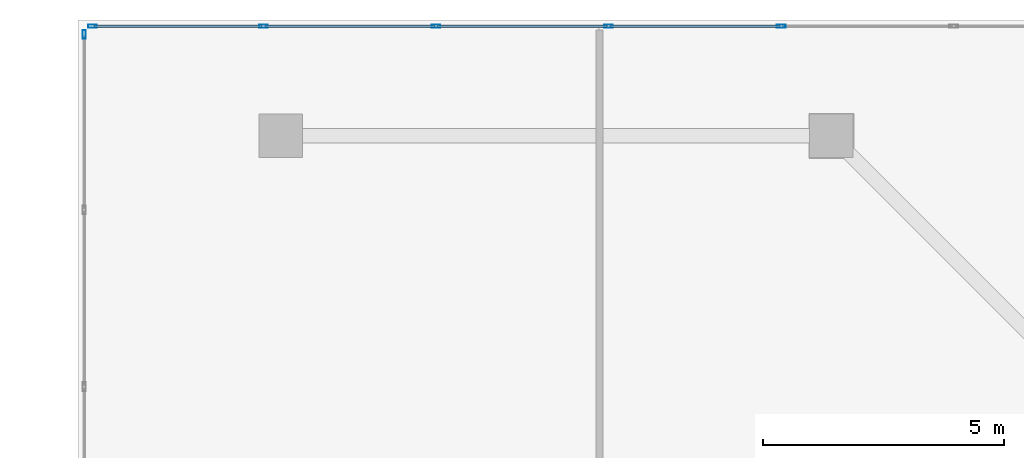
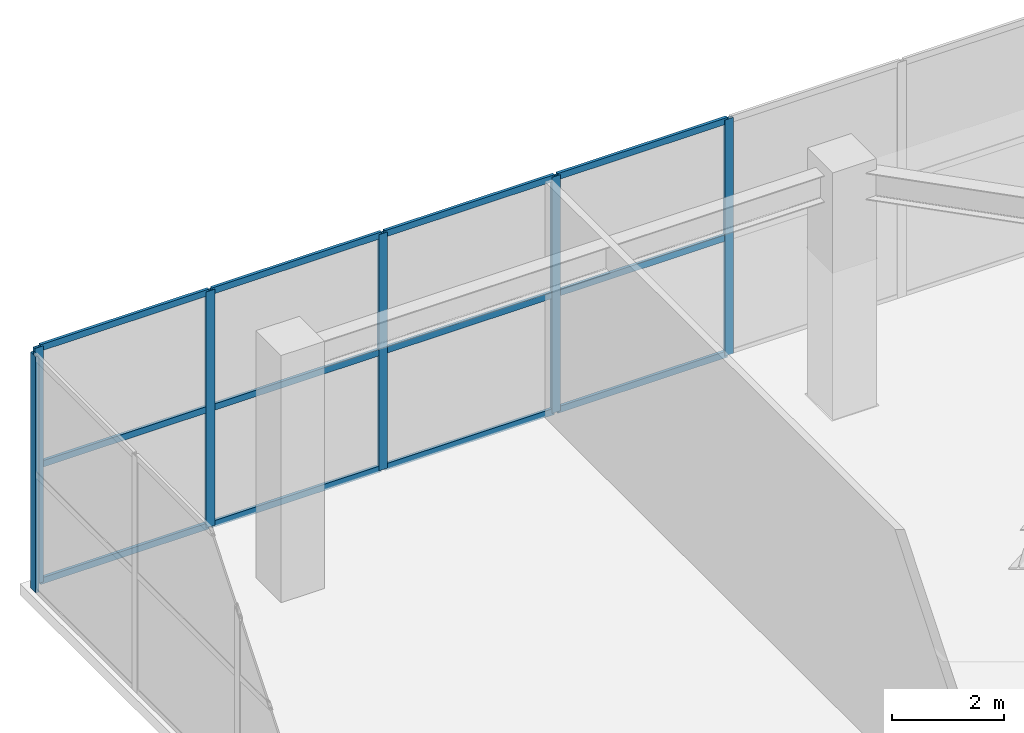
# One storey, part 16 of 37: 18 members, 2 elements without a shape of their own.
"""IFC4 building model written with IfcOpenShell, lengths in metres."""

from ifc_helpers import new_model, si_unit, direction, frame, origin, origin_2d, place, context, subcontext, project, spatial, hollow_rectangle, extrude, material, layer, layer_set, material_profile, profile_set, type_object, element, aggregate, save


model = new_model("IFC4")

# Units and contexts
model_context = context("Model", 3, precision=1e-05, world=origin(), true_north=direction((0.0, 1.0)))
body_context = subcontext(model_context, "Body", "Model", "MODEL_VIEW")
ifc_project = project(units=[si_unit("LENGTHUNIT", "METRE"), si_unit("AREAUNIT", "SQUARE_METRE"), si_unit("VOLUMEUNIT", "CUBIC_METRE"), si_unit("PLANEANGLEUNIT", "RADIAN"), si_unit("MASSUNIT", "GRAM", prefix="KILO")], contexts=[model_context])

# Site, building, storey
site_placement = place(None, origin())
site = spatial("IfcSite", under=ifc_project, at=site_placement, CompositionType="ELEMENT")
building_placement = place(site_placement, origin())
building = spatial("IfcBuilding", under=site, at=building_placement, Name="Haolan Belvedere Tower", CompositionType="ELEMENT")
storey_placement = place(building_placement, frame((0.0, 0.0, 10.199951171875)))
storey = spatial("IfcBuildingStorey", under=building, at=storey_placement, Name="L02", CompositionType="ELEMENT", Elevation=10.199951171875)

# Curtain wall, members
ifc_material_1 = material(Name="Anodised champagne-silver aluminium 6063-T6 and Low-E glass", Category="aluminium")
ifc_layer = layer(ifc_material_1, 0.179931640625, Name="Anodised champagne-silver aluminium 6063-T6 and Low-E glass")
ifc_layer_set = layer_set([ifc_layer], Name="Anodised champagne-silver aluminium 6063-T6 and Low-E glass")
curtain_wall_type = type_object("IfcCurtainWallType", Name="CW-SYS-01", PredefinedType="NOTDEFINED", material=ifc_layer_set)
curtain_wall_1_placement = place(storey_placement, origin())
curtain_wall_1 = element("IfcCurtainWall", 1, at=curtain_wall_1_placement, inside=storey, type_object=curtain_wall_type, Name="L02 CW-SYS-01 ribbon curtain wall 3.1", PredefinedType="NOTDEFINED")
ifc_material_2 = material(Name="Anodised aluminium 6063-T6", Category="aluminium")
ifc_material_profile_1 = material_profile(ifc_material_2, hollow_rectangle(XDim=0.06494140625, YDim=0.179931640625, WallThickness=0.00390625, at=origin_2d()), Name="Anodised aluminium 6063-T6")
ifc_profile_set_1 = profile_set([ifc_material_profile_1], Name="Anodised aluminium 6063-T6")
member_type_1 = type_object("IfcMemberType", Name="CW-SYS-01-MUL", PredefinedType="MULLION", material=ifc_profile_set_1)
member_1_placement = place(storey_placement, frame((16.9619140625, 53.8701171875, 0.0), z_axis=(0.0, 0.0, 1.0), x_axis=(0.0, -1.0, 0.0)))
member_1 = element("IfcMember", 2, at=member_1_placement, type_object=member_type_1, Name="CW-01 mullion 17", PredefinedType="MULLION", context=body_context, shape_type="SweptSolid", body=[
    extrude(hollow_rectangle(XDim=0.06494140625, YDim=0.179931640625, WallThickness=0.00390625, at=origin_2d()), origin(), (0.0, 0.0, 1.0), 5.16015625),
])
member_2_placement = place(storey_placement, frame((13.388916015625, 53.8701171875, 0.0), z_axis=(0.0, 0.0, 1.0), x_axis=(0.0, -1.0, 0.0)))
member_2 = element("IfcMember", 3, at=member_2_placement, type_object=member_type_1, Name="CW-01 mullion 18", PredefinedType="MULLION", context=body_context, shape_type="SweptSolid", body=[
    extrude(hollow_rectangle(XDim=0.06494140625, YDim=0.179931640625, WallThickness=0.00390625, at=origin_2d()), origin(), (0.0, 0.0, 1.0), 5.16015625),
])
member_3_placement = place(storey_placement, frame((9.81591796875, 53.8701171875, 0.0), z_axis=(0.0, 0.0, 1.0), x_axis=(0.0, -1.0, 0.0)))
member_3 = element("IfcMember", 4, at=member_3_placement, type_object=member_type_1, Name="CW-01 mullion 19", PredefinedType="MULLION", context=body_context, shape_type="SweptSolid", body=[
    extrude(hollow_rectangle(XDim=0.06494140625, YDim=0.179931640625, WallThickness=0.00390625, at=origin_2d()), origin(), (0.0, 0.0, 1.0), 5.16015625),
])
member_4_placement = place(storey_placement, frame((6.242919921875, 53.8701171875, 0.0), z_axis=(0.0, 0.0, 1.0), x_axis=(0.0, -1.0, 0.0)))
member_4 = element("IfcMember", 5, at=member_4_placement, type_object=member_type_1, Name="CW-01 mullion 20", PredefinedType="MULLION", context=body_context, shape_type="SweptSolid", body=[
    extrude(hollow_rectangle(XDim=0.06494140625, YDim=0.179931640625, WallThickness=0.00390625, at=origin_2d()), origin(), (0.0, 0.0, 1.0), 5.16015625),
])
member_5_placement = place(storey_placement, frame((2.702392578125, 53.8701171875, 0.0), z_axis=(0.0, 0.0, 1.0), x_axis=(0.0, -1.0, 0.0)))
member_5 = element("IfcMember", 6, at=member_5_placement, type_object=member_type_1, Name="CW-01 mullion 21", PredefinedType="MULLION", context=body_context, shape_type="SweptSolid", body=[
    extrude(hollow_rectangle(XDim=0.06494140625, YDim=0.179931640625, WallThickness=0.00390625, at=origin_2d()), origin(), (0.0, 0.0, 1.0), 5.16015625),
])

# Curtain wall, member
curtain_wall_2_placement = place(storey_placement, origin())
curtain_wall_2 = element("IfcCurtainWall", 7, at=curtain_wall_2_placement, inside=storey, type_object=curtain_wall_type, Name="L02 CW-SYS-01 ribbon curtain wall 4.1", PredefinedType="NOTDEFINED")
member_6_placement = place(storey_placement, frame((2.530029296875, 53.697509765625, 0.0), z_axis=(0.0, 0.0, 1.0), x_axis=(1.0, 0.0, 0.0)))
member_6 = element("IfcMember", 8, at=member_6_placement, type_object=member_type_1, Name="CW-01 mullion 1", PredefinedType="MULLION", context=body_context, shape_type="SweptSolid", body=[
    extrude(hollow_rectangle(XDim=0.06494140625, YDim=0.179931640625, WallThickness=0.00390625, at=origin_2d()), origin(), (0.0, 0.0, 1.0), 5.16015625),
])
aggregate(curtain_wall_2, [member_6])

# Member
ifc_material_profile_2 = material_profile(ifc_material_2, hollow_rectangle(XDim=0.06005859375, YDim=0.139892578125, WallThickness=0.00390625, at=origin_2d()), Name="Anodised aluminium 6063-T6")
ifc_profile_set_2 = profile_set([ifc_material_profile_2], Name="Anodised aluminium 6063-T6")
member_type_2 = type_object("IfcMemberType", Name="CW-SYS-01-TRN", PredefinedType="USERDEFINED", material=ifc_profile_set_2)
member_7_placement = place(storey_placement, frame((16.929443359375, 53.8701171875, 0.030029296875), z_axis=(-1.0, 0.0, 0.0), x_axis=(0.0, -1.0, 0.0)))
member_7 = element("IfcMember", 9, at=member_7_placement, type_object=member_type_2, Name="CW-01 transom 17.1", ObjectType="TRANSOM", PredefinedType="USERDEFINED", context=body_context, shape_type="SweptSolid", body=[
    extrude(hollow_rectangle(XDim=0.06005859375, YDim=0.139892578125, WallThickness=0.00390625, at=origin_2d()), origin(), (0.0, 0.0, 1.0), 3.508056640625),
])

member_8_placement = place(storey_placement, frame((16.929443359375, 53.8701171875, 2.580078125), z_axis=(-1.0, 0.0, 0.0), x_axis=(0.0, -1.0, 0.0)))
member_8 = element("IfcMember", 10, at=member_8_placement, type_object=member_type_2, Name="CW-01 transom 17.2", ObjectType="TRANSOM", PredefinedType="USERDEFINED", context=body_context, shape_type="SweptSolid", body=[
    extrude(hollow_rectangle(XDim=0.06005859375, YDim=0.139892578125, WallThickness=0.00390625, at=origin_2d()), origin(), (0.0, 0.0, 1.0), 3.508056640625),
])

member_9_placement = place(storey_placement, frame((16.929443359375, 53.8701171875, 5.130126953125), z_axis=(-1.0, 0.0, 0.0), x_axis=(0.0, -1.0, 0.0)))
member_9 = element("IfcMember", 11, at=member_9_placement, type_object=member_type_2, Name="CW-01 transom 17.3", ObjectType="TRANSOM", PredefinedType="USERDEFINED", context=body_context, shape_type="SweptSolid", body=[
    extrude(hollow_rectangle(XDim=0.06005859375, YDim=0.139892578125, WallThickness=0.00390625, at=origin_2d()), origin(), (0.0, 0.0, 1.0), 3.508056640625),
])

member_10_placement = place(storey_placement, frame((13.3564453125, 53.8701171875, 0.030029296875), z_axis=(-1.0, 0.0, 0.0), x_axis=(0.0, -1.0, 0.0)))
member_10 = element("IfcMember", 12, at=member_10_placement, type_object=member_type_2, Name="CW-01 transom 18.1", ObjectType="TRANSOM", PredefinedType="USERDEFINED", context=body_context, shape_type="SweptSolid", body=[
    extrude(hollow_rectangle(XDim=0.06005859375, YDim=0.139892578125, WallThickness=0.00390625, at=origin_2d()), origin(), (0.0, 0.0, 1.0), 3.508056640625),
])

member_11_placement = place(storey_placement, frame((13.3564453125, 53.8701171875, 2.580078125), z_axis=(-1.0, 0.0, 0.0), x_axis=(0.0, -1.0, 0.0)))
member_11 = element("IfcMember", 13, at=member_11_placement, type_object=member_type_2, Name="CW-01 transom 18.2", ObjectType="TRANSOM", PredefinedType="USERDEFINED", context=body_context, shape_type="SweptSolid", body=[
    extrude(hollow_rectangle(XDim=0.06005859375, YDim=0.139892578125, WallThickness=0.00390625, at=origin_2d()), origin(), (0.0, 0.0, 1.0), 3.508056640625),
])

member_12_placement = place(storey_placement, frame((13.3564453125, 53.8701171875, 5.130126953125), z_axis=(-1.0, 0.0, 0.0), x_axis=(0.0, -1.0, 0.0)))
member_12 = element("IfcMember", 14, at=member_12_placement, type_object=member_type_2, Name="CW-01 transom 18.3", ObjectType="TRANSOM", PredefinedType="USERDEFINED", context=body_context, shape_type="SweptSolid", body=[
    extrude(hollow_rectangle(XDim=0.06005859375, YDim=0.139892578125, WallThickness=0.00390625, at=origin_2d()), origin(), (0.0, 0.0, 1.0), 3.508056640625),
])

member_13_placement = place(storey_placement, frame((9.783447265625, 53.8701171875, 0.030029296875), z_axis=(-1.0, 0.0, 0.0), x_axis=(0.0, -1.0, 0.0)))
member_13 = element("IfcMember", 15, at=member_13_placement, type_object=member_type_2, Name="CW-01 transom 19.1", ObjectType="TRANSOM", PredefinedType="USERDEFINED", context=body_context, shape_type="SweptSolid", body=[
    extrude(hollow_rectangle(XDim=0.06005859375, YDim=0.139892578125, WallThickness=0.00390625, at=origin_2d()), origin(), (0.0, 0.0, 1.0), 3.508056640625),
])

member_14_placement = place(storey_placement, frame((9.783447265625, 53.8701171875, 2.580078125), z_axis=(-1.0, 0.0, 0.0), x_axis=(0.0, -1.0, 0.0)))
member_14 = element("IfcMember", 16, at=member_14_placement, type_object=member_type_2, Name="CW-01 transom 19.2", ObjectType="TRANSOM", PredefinedType="USERDEFINED", context=body_context, shape_type="SweptSolid", body=[
    extrude(hollow_rectangle(XDim=0.06005859375, YDim=0.139892578125, WallThickness=0.00390625, at=origin_2d()), origin(), (0.0, 0.0, 1.0), 3.508056640625),
])

member_15_placement = place(storey_placement, frame((9.783447265625, 53.8701171875, 5.130126953125), z_axis=(-1.0, 0.0, 0.0), x_axis=(0.0, -1.0, 0.0)))
member_15 = element("IfcMember", 17, at=member_15_placement, type_object=member_type_2, Name="CW-01 transom 19.3", ObjectType="TRANSOM", PredefinedType="USERDEFINED", context=body_context, shape_type="SweptSolid", body=[
    extrude(hollow_rectangle(XDim=0.06005859375, YDim=0.139892578125, WallThickness=0.00390625, at=origin_2d()), origin(), (0.0, 0.0, 1.0), 3.508056640625),
])

member_16_placement = place(storey_placement, frame((6.21044921875, 53.8701171875, 0.030029296875), z_axis=(-1.0, 0.0, 0.0), x_axis=(0.0, -1.0, 0.0)))
member_16 = element("IfcMember", 18, at=member_16_placement, type_object=member_type_2, Name="CW-01 transom 20.1", ObjectType="TRANSOM", PredefinedType="USERDEFINED", context=body_context, shape_type="SweptSolid", body=[
    extrude(hollow_rectangle(XDim=0.06005859375, YDim=0.139892578125, WallThickness=0.00390625, at=origin_2d()), origin(), (0.0, 0.0, 1.0), 3.475341796875),
])

member_17_placement = place(storey_placement, frame((6.21044921875, 53.8701171875, 2.580078125), z_axis=(-1.0, 0.0, 0.0), x_axis=(0.0, -1.0, 0.0)))
member_17 = element("IfcMember", 19, at=member_17_placement, type_object=member_type_2, Name="CW-01 transom 20.2", ObjectType="TRANSOM", PredefinedType="USERDEFINED", context=body_context, shape_type="SweptSolid", body=[
    extrude(hollow_rectangle(XDim=0.06005859375, YDim=0.139892578125, WallThickness=0.00390625, at=origin_2d()), origin(), (0.0, 0.0, 1.0), 3.475341796875),
])

member_18_placement = place(storey_placement, frame((6.21044921875, 53.8701171875, 5.130126953125), z_axis=(-1.0, 0.0, 0.0), x_axis=(0.0, -1.0, 0.0)))
member_18 = element("IfcMember", 20, at=member_18_placement, type_object=member_type_2, Name="CW-01 transom 20.3", ObjectType="TRANSOM", PredefinedType="USERDEFINED", context=body_context, shape_type="SweptSolid", body=[
    extrude(hollow_rectangle(XDim=0.06005859375, YDim=0.139892578125, WallThickness=0.00390625, at=origin_2d()), origin(), (0.0, 0.0, 1.0), 3.475341796875),
])

aggregate(curtain_wall_1, [member_1, member_2, member_3, member_4, member_5, member_7, member_8, member_9, member_10, member_11, member_12, member_13, member_14, member_15, member_16, member_17, member_18])

save(model, "model.ifc")
